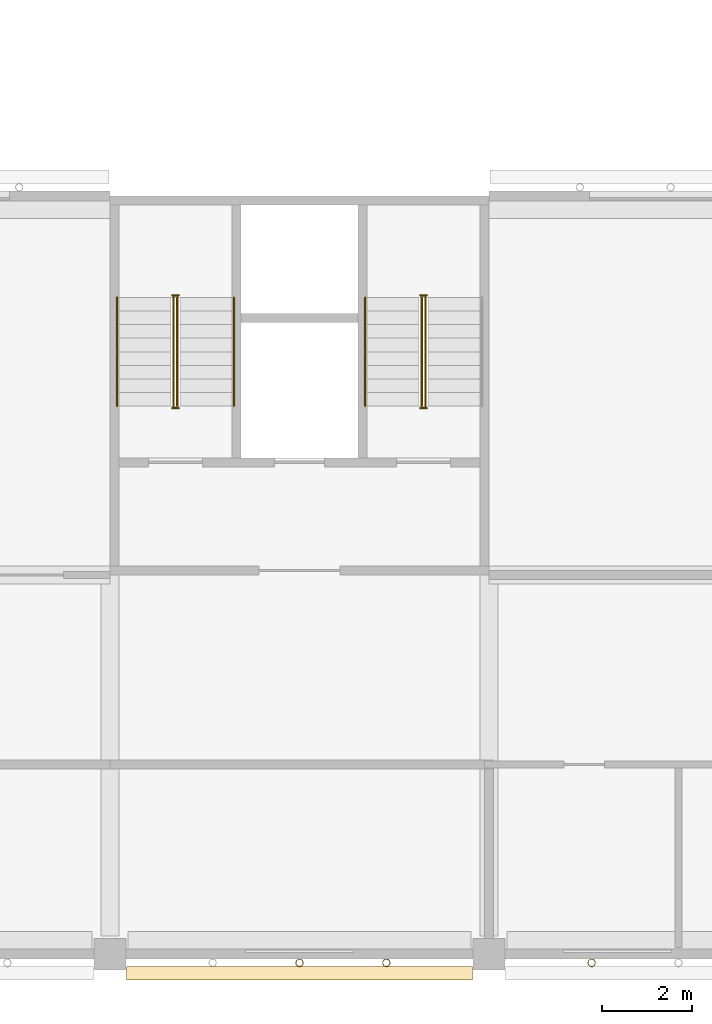
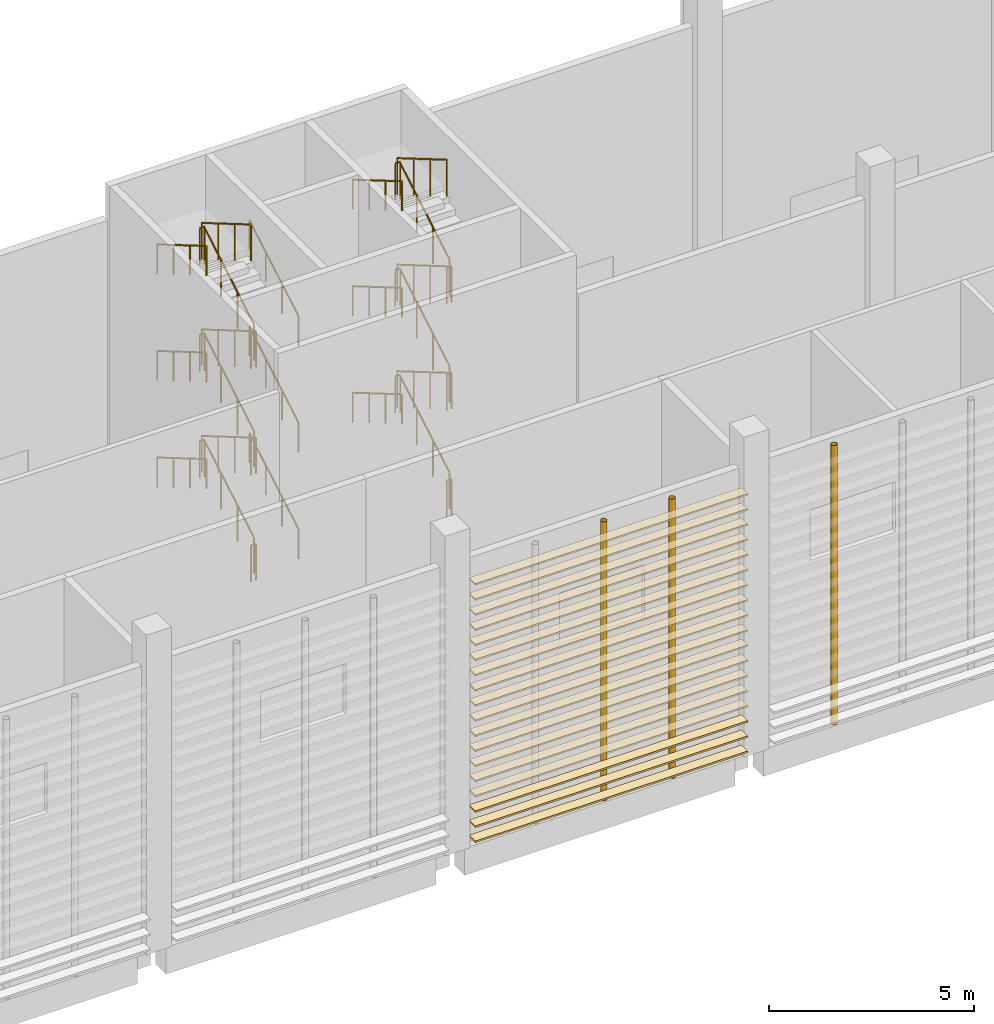
# One storey, part 78 of 114: 33 railings, 18 coverings, 3 shading devices.
"""IFC4 building model written with IfcOpenShell, lengths in metres."""

from ifc_helpers import new_model, si_unit, direction, frame, origin, origin_2d, place, context, subcontext, project, spatial, rectangle, circle, hollow_circle, extrude, material, material_profile, profile_set, type_object, element, save


model = new_model("IFC4")

# Units and contexts
model_context = context("Model", 3, precision=1e-05, world=origin(), true_north=direction((0.0, 1.0)))
body_context = subcontext(model_context, "Body", "Model", "MODEL_VIEW")
ifc_project = project(units=[si_unit("LENGTHUNIT", "METRE"), si_unit("AREAUNIT", "SQUARE_METRE"), si_unit("VOLUMEUNIT", "CUBIC_METRE"), si_unit("PLANEANGLEUNIT", "RADIAN"), si_unit("MASSUNIT", "GRAM", prefix="KILO")], contexts=[model_context])

# Site, building, storey
site_placement = place(None, origin())
site = spatial("IfcSite", under=ifc_project, at=site_placement, CompositionType="ELEMENT")
building_placement = place(site_placement, origin())
building = spatial("IfcBuilding", under=site, at=building_placement, Name="Almond Square Museum", CompositionType="ELEMENT")
storey_placement = place(building_placement, frame((0.0, 0.0, 10.5)))
storey = spatial("IfcBuildingStorey", under=building, at=storey_placement, Name="L02", CompositionType="ELEMENT", Elevation=10.5)

# Shading devices
ifc_material_1 = material(Name="Structural steel S355", Category="steel")
ifc_material_profile_1 = material_profile(ifc_material_1, hollow_circle(Radius=0.084228515625, WallThickness=0.008056640625, at=origin_2d()))
ifc_profile_set_1 = profile_set([ifc_material_profile_1], Name="Structural steel S355")
shading_device_type = type_object("IfcShadingDeviceType", Name="Louvre post CHS 168.3 x 8", PredefinedType="USERDEFINED", material=ifc_profile_set_1)
for number, where, z_axis, x_axis, name in (
    (1, (60.60009765625, -0.194091796875, 0.0), (0.0, 0.0, 1.0), (1.0, 0.0, 0.0), "Louvre screen post"),
    (2, (62.52490234375, -0.194091796875, 0.0), (0.0, 0.0, 1.0), (1.0, 0.0, 0.0), "Louvre screen post"),
    (3, (67.074951171875, -0.194091796875, 0.0), (0.0, 0.0, 1.0), (1.0, 0.0, 0.0), "Louvre screen post"),
):
    element("IfcShadingDevice", number, at=place(storey_placement, frame(where, z_axis=z_axis, x_axis=x_axis)), inside=storey, type_object=shading_device_type, Name=name, ObjectType="POST", PredefinedType="USERDEFINED", context=body_context, shape_type="SweptSolid", body=[
        extrude(hollow_circle(Radius=0.084228515625, WallThickness=0.008056640625, at=origin_2d()), origin(), (0.0, 0.0, 1.0), 8.300048828125),
    ])

# Coverings
ifc_material_2 = material(Name="Cedar timber louvre board", Category="wood")
ifc_material_profile_2 = material_profile(ifc_material_2, rectangle(XDim=0.300048828125, YDim=0.050048828125, at=origin_2d()))
ifc_profile_set_2 = profile_set([ifc_material_profile_2], Name="Cedar timber louvre board")
covering_type = type_object("IfcCoveringType", Name="Louvre screen board 300 x 50", PredefinedType="CLADDING", material=ifc_profile_set_2)
for number, where, z_axis, x_axis, name in (
    (4, (56.77001953125, -0.42431640625, 0.300048828125), (1.0, 0.0, 0.0), (0.0, 1.0, 0.0), "Louvre screen board"),
    (5, (56.77001953125, -0.42431640625, 0.75), (1.0, 0.0, 0.0), (0.0, 1.0, 0.0), "Louvre screen board"),
    (6, (56.77001953125, -0.42431640625, 1.199951171875), (1.0, 0.0, 0.0), (0.0, 1.0, 0.0), "Louvre screen board"),
    (7, (56.77001953125, -0.42431640625, 1.64990234375), (1.0, 0.0, 0.0), (0.0, 1.0, 0.0), "Louvre screen board"),
    (8, (56.77001953125, -0.42431640625, 2.10009765625), (1.0, 0.0, 0.0), (0.0, 1.0, 0.0), "Louvre screen board"),
    (9, (56.77001953125, -0.42431640625, 2.550048828125), (1.0, 0.0, 0.0), (0.0, 1.0, 0.0), "Louvre screen board"),
    (10, (56.77001953125, -0.42431640625, 3.0), (1.0, 0.0, 0.0), (0.0, 1.0, 0.0), "Louvre screen board"),
    (11, (56.77001953125, -0.42431640625, 3.449951171875), (1.0, 0.0, 0.0), (0.0, 1.0, 0.0), "Louvre screen board"),
    (12, (56.77001953125, -0.42431640625, 3.89990234375), (1.0, 0.0, 0.0), (0.0, 1.0, 0.0), "Louvre screen board"),
    (13, (56.77001953125, -0.42431640625, 4.35009765625), (1.0, 0.0, 0.0), (0.0, 1.0, 0.0), "Louvre screen board"),
    (14, (56.77001953125, -0.42431640625, 4.800048828125), (1.0, 0.0, 0.0), (0.0, 1.0, 0.0), "Louvre screen board"),
    (15, (56.77001953125, -0.42431640625, 5.25), (1.0, 0.0, 0.0), (0.0, 1.0, 0.0), "Louvre screen board"),
    (16, (56.77001953125, -0.42431640625, 5.699951171875), (1.0, 0.0, 0.0), (0.0, 1.0, 0.0), "Louvre screen board"),
    (17, (56.77001953125, -0.42431640625, 6.14990234375), (1.0, 0.0, 0.0), (0.0, 1.0, 0.0), "Louvre screen board"),
    (18, (56.77001953125, -0.42431640625, 6.60009765625), (1.0, 0.0, 0.0), (0.0, 1.0, 0.0), "Louvre screen board"),
    (19, (56.77001953125, -0.42431640625, 7.050048828125), (1.0, 0.0, 0.0), (0.0, 1.0, 0.0), "Louvre screen board"),
    (20, (56.77001953125, -0.42431640625, 7.5), (1.0, 0.0, 0.0), (0.0, 1.0, 0.0), "Louvre screen board"),
    (21, (56.77001953125, -0.42431640625, 7.949951171875), (1.0, 0.0, 0.0), (0.0, 1.0, 0.0), "Louvre screen board"),
):
    element("IfcCovering", number, at=place(storey_placement, frame(where, z_axis=z_axis, x_axis=x_axis)), inside=storey, type_object=covering_type, Name=name, PredefinedType="CLADDING", context=body_context, shape_type="SweptSolid", body=[
        extrude(rectangle(XDim=0.300048828125, YDim=0.050048828125, at=origin_2d()), origin(), (0.0, 0.0, 1.0), 7.659912109375),
    ])

# Railings
ifc_material_3 = material(Name="Stainless steel and laminated glass", Category="steel")
railing_type_1 = type_object("IfcRailingType", Name="Stair guard 1100 steel and glass", PredefinedType="GUARDRAIL", material=ifc_material_3)
railing_1_placement = place(storey_placement, frame((57.889892578125, 12.14990234375, 0.176025390625)))
element("IfcRailing", 22, at=railing_1_placement, inside=storey, type_object=railing_type_1, Name="L02 ST-29 stair guard 1", PredefinedType="GUARDRAIL", context=body_context, shape_type="SweptSolid", body=[
    extrude(circle(Radius=0.02392578125, at=origin_2d()), frame((0.0, 0.0, 1.076171875), z_axis=(0.0, 0.862659684245, 0.505784805207), x_axis=(-1.0, 0.0, 0.0)), (0.0, 0.0, 1.0), 2.7822265625),
    extrude(circle(Radius=0.02099609375, at=origin_2d()), origin(), (0.0, 0.0, 1.0), 1.052001953125),
    extrude(circle(Radius=0.02099609375, at=origin_2d()), frame((0.0, 0.800048828125, 0.468994140625)), (0.0, 0.0, 1.0), 1.052001953125),
    extrude(circle(Radius=0.02099609375, at=origin_2d()), frame((0.0, 1.60009765625, 0.938232421875)), (0.0, 0.0, 1.0), 1.052001953125),
    extrude(circle(Radius=0.02099609375, at=origin_2d()), frame((0.0, 2.400146484375, 1.4072265625)), (0.0, 0.0, 1.0), 1.052001953125),
])
railing_2_placement = place(storey_placement, frame((57.919921875, 14.60009765625, 1.583251953125)))
element("IfcRailing", 23, at=railing_2_placement, inside=storey, type_object=railing_type_1, Name="L02 ST-29 stair guard 2", PredefinedType="GUARDRAIL", context=body_context, shape_type="SweptSolid", body=[
    extrude(circle(Radius=0.02392578125, at=origin_2d()), frame((0.0, 0.0, 1.076171875), z_axis=(-1.0, 0.0, 0.0), x_axis=(0.0, -1.0, 0.0)), (0.0, 0.0, 1.0), 0.139892578125),
    extrude(circle(Radius=0.02099609375, at=origin_2d()), origin(), (0.0, 0.0, 1.0), 1.052001953125),
    extrude(circle(Radius=0.02099609375, at=origin_2d()), frame((-0.139892578125, 0.0, 0.0)), (0.0, 0.0, 1.0), 1.052001953125),
])
railing_3_placement = place(storey_placement, frame((57.81005859375, 14.550048828125, 1.75927734375)))
element("IfcRailing", 24, at=railing_3_placement, inside=storey, type_object=railing_type_1, Name="L02 ST-29 stair guard 3", PredefinedType="GUARDRAIL", context=body_context, shape_type="SweptSolid", body=[
    extrude(circle(Radius=0.02392578125, at=origin_2d()), frame((0.0, 0.0, 1.076171875), z_axis=(0.0, -0.862621396848, 0.505850102007), x_axis=(1.0, 0.0, 0.0)), (0.0, 0.0, 1.0), 2.782470703125),
    extrude(circle(Radius=0.02099609375, at=origin_2d()), origin(), (0.0, 0.0, 1.0), 1.052001953125),
    extrude(circle(Radius=0.02099609375, at=origin_2d()), frame((0.0, -0.800048828125, 0.46923828125)), (0.0, 0.0, 1.0), 1.052001953125),
    extrude(circle(Radius=0.02099609375, at=origin_2d()), frame((0.0, -1.60009765625, 0.938232421875)), (0.0, 0.0, 1.0), 1.052001953125),
    extrude(circle(Radius=0.02099609375, at=origin_2d()), frame((0.0, -2.400146484375, 1.407470703125)), (0.0, 0.0, 1.0), 1.052001953125),
])
railing_4_placement = place(storey_placement, frame((57.919921875, 12.10009765625, 3.166748046875)))
element("IfcRailing", 25, at=railing_4_placement, inside=storey, type_object=railing_type_1, Name="L02 ST-29 stair guard 4", PredefinedType="GUARDRAIL", context=body_context, shape_type="SweptSolid", body=[
    extrude(circle(Radius=0.02392578125, at=origin_2d()), frame((0.0, 0.0, 1.076171875), z_axis=(-1.0, 0.0, 0.0), x_axis=(0.0, -1.0, 0.0)), (0.0, 0.0, 1.0), 0.139892578125),
    extrude(circle(Radius=0.02099609375, at=origin_2d()), origin(), (0.0, 0.0, 1.0), 1.052001953125),
    extrude(circle(Radius=0.02099609375, at=origin_2d()), frame((-0.139892578125, 0.0, 0.0)), (0.0, 0.0, 1.0), 1.052001953125),
])
railing_5_placement = place(storey_placement, frame((57.889892578125, 12.14990234375, 3.342529296875)))
element("IfcRailing", 26, at=railing_5_placement, inside=storey, type_object=railing_type_1, Name="L02 ST-29 stair guard 5", PredefinedType="GUARDRAIL", context=body_context, shape_type="SweptSolid", body=[
    extrude(circle(Radius=0.02392578125, at=origin_2d()), frame((0.0, 0.0, 1.076171875), z_axis=(0.0, 0.862621396848, 0.505850102007), x_axis=(-1.0, 0.0, 0.0)), (0.0, 0.0, 1.0), 2.782470703125),
    extrude(circle(Radius=0.02099609375, at=origin_2d()), origin(), (0.0, 0.0, 1.0), 1.052001953125),
    extrude(circle(Radius=0.02099609375, at=origin_2d()), frame((0.0, 0.800048828125, 0.46923828125)), (0.0, 0.0, 1.0), 1.052001953125),
    extrude(circle(Radius=0.02099609375, at=origin_2d()), frame((0.0, 1.60009765625, 0.938232421875)), (0.0, 0.0, 1.0), 1.052001953125),
    extrude(circle(Radius=0.02099609375, at=origin_2d()), frame((0.0, 2.400146484375, 1.407470703125)), (0.0, 0.0, 1.0), 1.052001953125),
])
railing_6_placement = place(storey_placement, frame((57.919921875, 14.60009765625, 4.75)))
element("IfcRailing", 27, at=railing_6_placement, inside=storey, type_object=railing_type_1, Name="L02 ST-29 stair guard 6", PredefinedType="GUARDRAIL", context=body_context, shape_type="SweptSolid", body=[
    extrude(circle(Radius=0.02392578125, at=origin_2d()), frame((0.0, 0.0, 1.076171875), z_axis=(-1.0, 0.0, 0.0), x_axis=(0.0, -1.0, 0.0)), (0.0, 0.0, 1.0), 0.139892578125),
    extrude(circle(Radius=0.02099609375, at=origin_2d()), origin(), (0.0, 0.0, 1.0), 1.052001953125),
    extrude(circle(Radius=0.02099609375, at=origin_2d()), frame((-0.139892578125, 0.0, 0.0)), (0.0, 0.0, 1.0), 1.052001953125),
])
railing_7_placement = place(storey_placement, frame((57.81005859375, 14.550048828125, 4.926025390625)))
element("IfcRailing", 28, at=railing_7_placement, inside=storey, type_object=railing_type_1, Name="L02 ST-29 stair guard 7", PredefinedType="GUARDRAIL", context=body_context, shape_type="SweptSolid", body=[
    extrude(circle(Radius=0.02392578125, at=origin_2d()), frame((0.0, 0.0, 1.076171875), z_axis=(0.0, -0.862659684245, 0.505784805207), x_axis=(1.0, 0.0, 0.0)), (0.0, 0.0, 1.0), 2.7822265625),
    extrude(circle(Radius=0.02099609375, at=origin_2d()), origin(), (0.0, 0.0, 1.0), 1.052001953125),
    extrude(circle(Radius=0.02099609375, at=origin_2d()), frame((0.0, -0.800048828125, 0.468994140625)), (0.0, 0.0, 1.0), 1.052001953125),
    extrude(circle(Radius=0.02099609375, at=origin_2d()), frame((0.0, -1.60009765625, 0.938232421875)), (0.0, 0.0, 1.0), 1.052001953125),
    extrude(circle(Radius=0.02099609375, at=origin_2d()), frame((0.0, -2.400146484375, 1.4072265625)), (0.0, 0.0, 1.0), 1.052001953125),
])
railing_8_placement = place(storey_placement, frame((57.919921875, 12.10009765625, 6.333251953125)))
element("IfcRailing", 29, at=railing_8_placement, inside=storey, type_object=railing_type_1, Name="L02 ST-29 stair guard 8", PredefinedType="GUARDRAIL", context=body_context, shape_type="SweptSolid", body=[
    extrude(circle(Radius=0.02392578125, at=origin_2d()), frame((0.0, 0.0, 1.076171875), z_axis=(-1.0, 0.0, 0.0), x_axis=(0.0, -1.0, 0.0)), (0.0, 0.0, 1.0), 0.139892578125),
    extrude(circle(Radius=0.02099609375, at=origin_2d()), origin(), (0.0, 0.0, 1.0), 1.052001953125),
    extrude(circle(Radius=0.02099609375, at=origin_2d()), frame((-0.139892578125, 0.0, 0.0)), (0.0, 0.0, 1.0), 1.052001953125),
])
railing_9_placement = place(storey_placement, frame((57.889892578125, 12.14990234375, 6.50927734375)))
element("IfcRailing", 30, at=railing_9_placement, inside=storey, type_object=railing_type_1, Name="L02 ST-29 stair guard 9", PredefinedType="GUARDRAIL", context=body_context, shape_type="SweptSolid", body=[
    extrude(circle(Radius=0.02392578125, at=origin_2d()), frame((0.0, 0.0, 1.076171875), z_axis=(0.0, 0.862621396848, 0.505850102007), x_axis=(-1.0, 0.0, 0.0)), (0.0, 0.0, 1.0), 2.782470703125),
    extrude(circle(Radius=0.02099609375, at=origin_2d()), origin(), (0.0, 0.0, 1.0), 1.052001953125),
    extrude(circle(Radius=0.02099609375, at=origin_2d()), frame((0.0, 0.800048828125, 0.46923828125)), (0.0, 0.0, 1.0), 1.052001953125),
    extrude(circle(Radius=0.02099609375, at=origin_2d()), frame((0.0, 1.60009765625, 0.938232421875)), (0.0, 0.0, 1.0), 1.052001953125),
    extrude(circle(Radius=0.02099609375, at=origin_2d()), frame((0.0, 2.400146484375, 1.407470703125)), (0.0, 0.0, 1.0), 1.052001953125),
])
railing_10_placement = place(storey_placement, frame((57.919921875, 14.60009765625, 7.916748046875)))
element("IfcRailing", 31, at=railing_10_placement, inside=storey, type_object=railing_type_1, Name="L02 ST-29 stair guard 10", PredefinedType="GUARDRAIL", context=body_context, shape_type="SweptSolid", body=[
    extrude(circle(Radius=0.02392578125, at=origin_2d()), frame((0.0, 0.0, 1.076171875), z_axis=(-1.0, 0.0, 0.0), x_axis=(0.0, -1.0, 0.0)), (0.0, 0.0, 1.0), 0.139892578125),
    extrude(circle(Radius=0.02099609375, at=origin_2d()), origin(), (0.0, 0.0, 1.0), 1.052001953125),
    extrude(circle(Radius=0.02099609375, at=origin_2d()), frame((-0.139892578125, 0.0, 0.0)), (0.0, 0.0, 1.0), 1.052001953125),
])
railing_11_placement = place(storey_placement, frame((57.81005859375, 14.550048828125, 8.092529296875)))
element("IfcRailing", 32, at=railing_11_placement, inside=storey, type_object=railing_type_1, Name="L02 ST-29 stair guard 11", PredefinedType="GUARDRAIL", context=body_context, shape_type="SweptSolid", body=[
    extrude(circle(Radius=0.02392578125, at=origin_2d()), frame((0.0, 0.0, 1.076171875), z_axis=(0.0, -0.862621396848, 0.505850102007), x_axis=(1.0, 0.0, 0.0)), (0.0, 0.0, 1.0), 2.782470703125),
    extrude(circle(Radius=0.02099609375, at=origin_2d()), origin(), (0.0, 0.0, 1.0), 1.052001953125),
    extrude(circle(Radius=0.02099609375, at=origin_2d()), frame((0.0, -0.800048828125, 0.46923828125)), (0.0, 0.0, 1.0), 1.052001953125),
    extrude(circle(Radius=0.02099609375, at=origin_2d()), frame((0.0, -1.60009765625, 0.938232421875)), (0.0, 0.0, 1.0), 1.052001953125),
    extrude(circle(Radius=0.02099609375, at=origin_2d()), frame((0.0, -2.400146484375, 1.407470703125)), (0.0, 0.0, 1.0), 1.052001953125),
])
railing_12_placement = place(storey_placement, frame((57.919921875, 12.10009765625, 0.0)))
element("IfcRailing", 33, at=railing_12_placement, inside=storey, type_object=railing_type_1, Name="L02 ST-29 stair guard 12", PredefinedType="GUARDRAIL", context=body_context, shape_type="SweptSolid", body=[
    extrude(circle(Radius=0.02392578125, at=origin_2d()), frame((0.0, 0.0, 1.076171875), z_axis=(-1.0, 0.0, 0.0), x_axis=(0.0, -1.0, 0.0)), (0.0, 0.0, 1.0), 0.139892578125),
    extrude(circle(Radius=0.02099609375, at=origin_2d()), origin(), (0.0, 0.0, 1.0), 1.052001953125),
    extrude(circle(Radius=0.02099609375, at=origin_2d()), frame((-0.139892578125, 0.0, 0.0)), (0.0, 0.0, 1.0), 1.052001953125),
])
railing_13_placement = place(storey_placement, frame((63.389892578125, 12.14990234375, 0.176025390625)))
element("IfcRailing", 34, at=railing_13_placement, inside=storey, type_object=railing_type_1, Name="L02 ST-30 stair guard 1", PredefinedType="GUARDRAIL", context=body_context, shape_type="SweptSolid", body=[
    extrude(circle(Radius=0.02392578125, at=origin_2d()), frame((0.0, 0.0, 1.076171875), z_axis=(0.0, 0.862659684245, 0.505784805207), x_axis=(-1.0, 0.0, 0.0)), (0.0, 0.0, 1.0), 2.7822265625),
    extrude(circle(Radius=0.02099609375, at=origin_2d()), origin(), (0.0, 0.0, 1.0), 1.052001953125),
    extrude(circle(Radius=0.02099609375, at=origin_2d()), frame((0.0, 0.800048828125, 0.468994140625)), (0.0, 0.0, 1.0), 1.052001953125),
    extrude(circle(Radius=0.02099609375, at=origin_2d()), frame((0.0, 1.60009765625, 0.938232421875)), (0.0, 0.0, 1.0), 1.052001953125),
    extrude(circle(Radius=0.02099609375, at=origin_2d()), frame((0.0, 2.400146484375, 1.4072265625)), (0.0, 0.0, 1.0), 1.052001953125),
])
railing_14_placement = place(storey_placement, frame((63.419921875, 14.60009765625, 1.583251953125)))
element("IfcRailing", 35, at=railing_14_placement, inside=storey, type_object=railing_type_1, Name="L02 ST-30 stair guard 2", PredefinedType="GUARDRAIL", context=body_context, shape_type="SweptSolid", body=[
    extrude(circle(Radius=0.02392578125, at=origin_2d()), frame((0.0, 0.0, 1.076171875), z_axis=(-1.0, 0.0, 0.0), x_axis=(0.0, -1.0, 0.0)), (0.0, 0.0, 1.0), 0.139892578125),
    extrude(circle(Radius=0.02099609375, at=origin_2d()), origin(), (0.0, 0.0, 1.0), 1.052001953125),
    extrude(circle(Radius=0.02099609375, at=origin_2d()), frame((-0.139892578125, 0.0, 0.0)), (0.0, 0.0, 1.0), 1.052001953125),
])
railing_15_placement = place(storey_placement, frame((63.31005859375, 14.550048828125, 1.75927734375)))
element("IfcRailing", 36, at=railing_15_placement, inside=storey, type_object=railing_type_1, Name="L02 ST-30 stair guard 3", PredefinedType="GUARDRAIL", context=body_context, shape_type="SweptSolid", body=[
    extrude(circle(Radius=0.02392578125, at=origin_2d()), frame((0.0, 0.0, 1.076171875), z_axis=(0.0, -0.862621396848, 0.505850102007), x_axis=(1.0, 0.0, 0.0)), (0.0, 0.0, 1.0), 2.782470703125),
    extrude(circle(Radius=0.02099609375, at=origin_2d()), origin(), (0.0, 0.0, 1.0), 1.052001953125),
    extrude(circle(Radius=0.02099609375, at=origin_2d()), frame((0.0, -0.800048828125, 0.46923828125)), (0.0, 0.0, 1.0), 1.052001953125),
    extrude(circle(Radius=0.02099609375, at=origin_2d()), frame((0.0, -1.60009765625, 0.938232421875)), (0.0, 0.0, 1.0), 1.052001953125),
    extrude(circle(Radius=0.02099609375, at=origin_2d()), frame((0.0, -2.400146484375, 1.407470703125)), (0.0, 0.0, 1.0), 1.052001953125),
])
railing_16_placement = place(storey_placement, frame((63.419921875, 12.10009765625, 3.166748046875)))
element("IfcRailing", 37, at=railing_16_placement, inside=storey, type_object=railing_type_1, Name="L02 ST-30 stair guard 4", PredefinedType="GUARDRAIL", context=body_context, shape_type="SweptSolid", body=[
    extrude(circle(Radius=0.02392578125, at=origin_2d()), frame((0.0, 0.0, 1.076171875), z_axis=(-1.0, 0.0, 0.0), x_axis=(0.0, -1.0, 0.0)), (0.0, 0.0, 1.0), 0.139892578125),
    extrude(circle(Radius=0.02099609375, at=origin_2d()), origin(), (0.0, 0.0, 1.0), 1.052001953125),
    extrude(circle(Radius=0.02099609375, at=origin_2d()), frame((-0.139892578125, 0.0, 0.0)), (0.0, 0.0, 1.0), 1.052001953125),
])
railing_17_placement = place(storey_placement, frame((63.389892578125, 12.14990234375, 3.342529296875)))
element("IfcRailing", 38, at=railing_17_placement, inside=storey, type_object=railing_type_1, Name="L02 ST-30 stair guard 5", PredefinedType="GUARDRAIL", context=body_context, shape_type="SweptSolid", body=[
    extrude(circle(Radius=0.02392578125, at=origin_2d()), frame((0.0, 0.0, 1.076171875), z_axis=(0.0, 0.862621396848, 0.505850102007), x_axis=(-1.0, 0.0, 0.0)), (0.0, 0.0, 1.0), 2.782470703125),
    extrude(circle(Radius=0.02099609375, at=origin_2d()), origin(), (0.0, 0.0, 1.0), 1.052001953125),
    extrude(circle(Radius=0.02099609375, at=origin_2d()), frame((0.0, 0.800048828125, 0.46923828125)), (0.0, 0.0, 1.0), 1.052001953125),
    extrude(circle(Radius=0.02099609375, at=origin_2d()), frame((0.0, 1.60009765625, 0.938232421875)), (0.0, 0.0, 1.0), 1.052001953125),
    extrude(circle(Radius=0.02099609375, at=origin_2d()), frame((0.0, 2.400146484375, 1.407470703125)), (0.0, 0.0, 1.0), 1.052001953125),
])
railing_18_placement = place(storey_placement, frame((63.419921875, 14.60009765625, 4.75)))
element("IfcRailing", 39, at=railing_18_placement, inside=storey, type_object=railing_type_1, Name="L02 ST-30 stair guard 6", PredefinedType="GUARDRAIL", context=body_context, shape_type="SweptSolid", body=[
    extrude(circle(Radius=0.02392578125, at=origin_2d()), frame((0.0, 0.0, 1.076171875), z_axis=(-1.0, 0.0, 0.0), x_axis=(0.0, -1.0, 0.0)), (0.0, 0.0, 1.0), 0.139892578125),
    extrude(circle(Radius=0.02099609375, at=origin_2d()), origin(), (0.0, 0.0, 1.0), 1.052001953125),
    extrude(circle(Radius=0.02099609375, at=origin_2d()), frame((-0.139892578125, 0.0, 0.0)), (0.0, 0.0, 1.0), 1.052001953125),
])
railing_19_placement = place(storey_placement, frame((63.31005859375, 14.550048828125, 4.926025390625)))
element("IfcRailing", 40, at=railing_19_placement, inside=storey, type_object=railing_type_1, Name="L02 ST-30 stair guard 7", PredefinedType="GUARDRAIL", context=body_context, shape_type="SweptSolid", body=[
    extrude(circle(Radius=0.02392578125, at=origin_2d()), frame((0.0, 0.0, 1.076171875), z_axis=(0.0, -0.862659684245, 0.505784805207), x_axis=(1.0, 0.0, 0.0)), (0.0, 0.0, 1.0), 2.7822265625),
    extrude(circle(Radius=0.02099609375, at=origin_2d()), origin(), (0.0, 0.0, 1.0), 1.052001953125),
    extrude(circle(Radius=0.02099609375, at=origin_2d()), frame((0.0, -0.800048828125, 0.468994140625)), (0.0, 0.0, 1.0), 1.052001953125),
    extrude(circle(Radius=0.02099609375, at=origin_2d()), frame((0.0, -1.60009765625, 0.938232421875)), (0.0, 0.0, 1.0), 1.052001953125),
    extrude(circle(Radius=0.02099609375, at=origin_2d()), frame((0.0, -2.400146484375, 1.4072265625)), (0.0, 0.0, 1.0), 1.052001953125),
])
railing_20_placement = place(storey_placement, frame((63.419921875, 12.10009765625, 6.333251953125)))
element("IfcRailing", 41, at=railing_20_placement, inside=storey, type_object=railing_type_1, Name="L02 ST-30 stair guard 8", PredefinedType="GUARDRAIL", context=body_context, shape_type="SweptSolid", body=[
    extrude(circle(Radius=0.02392578125, at=origin_2d()), frame((0.0, 0.0, 1.076171875), z_axis=(-1.0, 0.0, 0.0), x_axis=(0.0, -1.0, 0.0)), (0.0, 0.0, 1.0), 0.139892578125),
    extrude(circle(Radius=0.02099609375, at=origin_2d()), origin(), (0.0, 0.0, 1.0), 1.052001953125),
    extrude(circle(Radius=0.02099609375, at=origin_2d()), frame((-0.139892578125, 0.0, 0.0)), (0.0, 0.0, 1.0), 1.052001953125),
])
railing_21_placement = place(storey_placement, frame((63.389892578125, 12.14990234375, 6.50927734375)))
element("IfcRailing", 42, at=railing_21_placement, inside=storey, type_object=railing_type_1, Name="L02 ST-30 stair guard 9", PredefinedType="GUARDRAIL", context=body_context, shape_type="SweptSolid", body=[
    extrude(circle(Radius=0.02392578125, at=origin_2d()), frame((0.0, 0.0, 1.076171875), z_axis=(0.0, 0.862621396848, 0.505850102007), x_axis=(-1.0, 0.0, 0.0)), (0.0, 0.0, 1.0), 2.782470703125),
    extrude(circle(Radius=0.02099609375, at=origin_2d()), origin(), (0.0, 0.0, 1.0), 1.052001953125),
    extrude(circle(Radius=0.02099609375, at=origin_2d()), frame((0.0, 0.800048828125, 0.46923828125)), (0.0, 0.0, 1.0), 1.052001953125),
    extrude(circle(Radius=0.02099609375, at=origin_2d()), frame((0.0, 1.60009765625, 0.938232421875)), (0.0, 0.0, 1.0), 1.052001953125),
    extrude(circle(Radius=0.02099609375, at=origin_2d()), frame((0.0, 2.400146484375, 1.407470703125)), (0.0, 0.0, 1.0), 1.052001953125),
])
railing_22_placement = place(storey_placement, frame((63.419921875, 14.60009765625, 7.916748046875)))
element("IfcRailing", 43, at=railing_22_placement, inside=storey, type_object=railing_type_1, Name="L02 ST-30 stair guard 10", PredefinedType="GUARDRAIL", context=body_context, shape_type="SweptSolid", body=[
    extrude(circle(Radius=0.02392578125, at=origin_2d()), frame((0.0, 0.0, 1.076171875), z_axis=(-1.0, 0.0, 0.0), x_axis=(0.0, -1.0, 0.0)), (0.0, 0.0, 1.0), 0.139892578125),
    extrude(circle(Radius=0.02099609375, at=origin_2d()), origin(), (0.0, 0.0, 1.0), 1.052001953125),
    extrude(circle(Radius=0.02099609375, at=origin_2d()), frame((-0.139892578125, 0.0, 0.0)), (0.0, 0.0, 1.0), 1.052001953125),
])
railing_23_placement = place(storey_placement, frame((63.31005859375, 14.550048828125, 8.092529296875)))
element("IfcRailing", 44, at=railing_23_placement, inside=storey, type_object=railing_type_1, Name="L02 ST-30 stair guard 11", PredefinedType="GUARDRAIL", context=body_context, shape_type="SweptSolid", body=[
    extrude(circle(Radius=0.02392578125, at=origin_2d()), frame((0.0, 0.0, 1.076171875), z_axis=(0.0, -0.862621396848, 0.505850102007), x_axis=(1.0, 0.0, 0.0)), (0.0, 0.0, 1.0), 2.782470703125),
    extrude(circle(Radius=0.02099609375, at=origin_2d()), origin(), (0.0, 0.0, 1.0), 1.052001953125),
    extrude(circle(Radius=0.02099609375, at=origin_2d()), frame((0.0, -0.800048828125, 0.46923828125)), (0.0, 0.0, 1.0), 1.052001953125),
    extrude(circle(Radius=0.02099609375, at=origin_2d()), frame((0.0, -1.60009765625, 0.938232421875)), (0.0, 0.0, 1.0), 1.052001953125),
    extrude(circle(Radius=0.02099609375, at=origin_2d()), frame((0.0, -2.400146484375, 1.407470703125)), (0.0, 0.0, 1.0), 1.052001953125),
])
railing_24_placement = place(storey_placement, frame((63.419921875, 12.10009765625, 0.0)))
element("IfcRailing", 45, at=railing_24_placement, inside=storey, type_object=railing_type_1, Name="L02 ST-30 stair guard 12", PredefinedType="GUARDRAIL", context=body_context, shape_type="SweptSolid", body=[
    extrude(circle(Radius=0.02392578125, at=origin_2d()), frame((0.0, 0.0, 1.076171875), z_axis=(-1.0, 0.0, 0.0), x_axis=(0.0, -1.0, 0.0)), (0.0, 0.0, 1.0), 0.139892578125),
    extrude(circle(Radius=0.02099609375, at=origin_2d()), origin(), (0.0, 0.0, 1.0), 1.052001953125),
    extrude(circle(Radius=0.02099609375, at=origin_2d()), frame((-0.139892578125, 0.0, 0.0)), (0.0, 0.0, 1.0), 1.052001953125),
])
ifc_material_4 = material(Name="Stainless steel", Category="steel")
railing_type_2 = type_object("IfcRailingType", Name="Stair handrail 900 steel", PredefinedType="HANDRAIL", material=ifc_material_4)
railing_25_placement = place(storey_placement, frame((59.14501953125, 12.14990234375, 0.176025390625)))
element("IfcRailing", 46, at=railing_25_placement, inside=storey, type_object=railing_type_2, Name="L02 ST-29 stair handrail 1", PredefinedType="HANDRAIL", context=body_context, shape_type="SweptSolid", body=[
    extrude(circle(Radius=0.02392578125, at=origin_2d()), frame((0.0, 0.0, 0.8759765625), z_axis=(0.0, 0.862659684245, 0.505784805207), x_axis=(-1.0, 0.0, 0.0)), (0.0, 0.0, 1.0), 2.7822265625),
    extrude(circle(Radius=0.02099609375, at=origin_2d()), origin(), (0.0, 0.0, 1.0), 0.851806640625),
    extrude(circle(Radius=0.02099609375, at=origin_2d()), frame((0.0, 0.800048828125, 0.468994140625)), (0.0, 0.0, 1.0), 0.851806640625),
    extrude(circle(Radius=0.02099609375, at=origin_2d()), frame((0.0, 1.60009765625, 0.938232421875)), (0.0, 0.0, 1.0), 0.851806640625),
    extrude(circle(Radius=0.02099609375, at=origin_2d()), frame((0.0, 2.400146484375, 1.4072265625)), (0.0, 0.0, 1.0), 0.851806640625),
])
railing_26_placement = place(storey_placement, frame((56.554931640625, 14.550048828125, 1.75927734375)))
element("IfcRailing", 47, at=railing_26_placement, inside=storey, type_object=railing_type_2, Name="L02 ST-29 stair handrail 2", PredefinedType="HANDRAIL", context=body_context, shape_type="SweptSolid", body=[
    extrude(circle(Radius=0.02392578125, at=origin_2d()), frame((0.0, 0.0, 0.8759765625), z_axis=(0.0, -0.862621396848, 0.505850102007), x_axis=(1.0, 0.0, 0.0)), (0.0, 0.0, 1.0), 2.782470703125),
    extrude(circle(Radius=0.02099609375, at=origin_2d()), origin(), (0.0, 0.0, 1.0), 0.851806640625),
    extrude(circle(Radius=0.02099609375, at=origin_2d()), frame((0.0, -0.800048828125, 0.46923828125)), (0.0, 0.0, 1.0), 0.851806640625),
    extrude(circle(Radius=0.02099609375, at=origin_2d()), frame((0.0, -1.60009765625, 0.938232421875)), (0.0, 0.0, 1.0), 0.851806640625),
    extrude(circle(Radius=0.02099609375, at=origin_2d()), frame((0.0, -2.400146484375, 1.407470703125)), (0.0, 0.0, 1.0), 0.851806640625),
])
railing_27_placement = place(storey_placement, frame((59.14501953125, 12.14990234375, 3.342529296875)))
element("IfcRailing", 48, at=railing_27_placement, inside=storey, type_object=railing_type_2, Name="L02 ST-29 stair handrail 3", PredefinedType="HANDRAIL", context=body_context, shape_type="SweptSolid", body=[
    extrude(circle(Radius=0.02392578125, at=origin_2d()), frame((0.0, 0.0, 0.8759765625), z_axis=(0.0, 0.862621396848, 0.505850102007), x_axis=(-1.0, 0.0, 0.0)), (0.0, 0.0, 1.0), 2.782470703125),
    extrude(circle(Radius=0.02099609375, at=origin_2d()), origin(), (0.0, 0.0, 1.0), 0.851806640625),
    extrude(circle(Radius=0.02099609375, at=origin_2d()), frame((0.0, 0.800048828125, 0.46923828125)), (0.0, 0.0, 1.0), 0.851806640625),
    extrude(circle(Radius=0.02099609375, at=origin_2d()), frame((0.0, 1.60009765625, 0.938232421875)), (0.0, 0.0, 1.0), 0.851806640625),
    extrude(circle(Radius=0.02099609375, at=origin_2d()), frame((0.0, 2.400146484375, 1.407470703125)), (0.0, 0.0, 1.0), 0.851806640625),
])
railing_28_placement = place(storey_placement, frame((56.554931640625, 14.550048828125, 4.926025390625)))
element("IfcRailing", 49, at=railing_28_placement, inside=storey, type_object=railing_type_2, Name="L02 ST-29 stair handrail 4", PredefinedType="HANDRAIL", context=body_context, shape_type="SweptSolid", body=[
    extrude(circle(Radius=0.02392578125, at=origin_2d()), frame((0.0, 0.0, 0.8759765625), z_axis=(0.0, -0.862659684245, 0.505784805207), x_axis=(1.0, 0.0, 0.0)), (0.0, 0.0, 1.0), 2.7822265625),
    extrude(circle(Radius=0.02099609375, at=origin_2d()), origin(), (0.0, 0.0, 1.0), 0.851806640625),
    extrude(circle(Radius=0.02099609375, at=origin_2d()), frame((0.0, -0.800048828125, 0.468994140625)), (0.0, 0.0, 1.0), 0.851806640625),
    extrude(circle(Radius=0.02099609375, at=origin_2d()), frame((0.0, -1.60009765625, 0.938232421875)), (0.0, 0.0, 1.0), 0.851806640625),
    extrude(circle(Radius=0.02099609375, at=origin_2d()), frame((0.0, -2.400146484375, 1.4072265625)), (0.0, 0.0, 1.0), 0.851806640625),
])
railing_29_placement = place(storey_placement, frame((59.14501953125, 12.14990234375, 6.50927734375)))
element("IfcRailing", 50, at=railing_29_placement, inside=storey, type_object=railing_type_2, Name="L02 ST-29 stair handrail 5", PredefinedType="HANDRAIL", context=body_context, shape_type="SweptSolid", body=[
    extrude(circle(Radius=0.02392578125, at=origin_2d()), frame((0.0, 0.0, 0.8759765625), z_axis=(0.0, 0.862621396848, 0.505850102007), x_axis=(-1.0, 0.0, 0.0)), (0.0, 0.0, 1.0), 2.782470703125),
    extrude(circle(Radius=0.02099609375, at=origin_2d()), origin(), (0.0, 0.0, 1.0), 0.851806640625),
    extrude(circle(Radius=0.02099609375, at=origin_2d()), frame((0.0, 0.800048828125, 0.46923828125)), (0.0, 0.0, 1.0), 0.851806640625),
    extrude(circle(Radius=0.02099609375, at=origin_2d()), frame((0.0, 1.60009765625, 0.938232421875)), (0.0, 0.0, 1.0), 0.851806640625),
    extrude(circle(Radius=0.02099609375, at=origin_2d()), frame((0.0, 2.400146484375, 1.407470703125)), (0.0, 0.0, 1.0), 0.851806640625),
])
for number, where, name in (
    (51, (56.554931640625, 14.550048828125, 8.092529296875), "L02 ST-29 stair handrail 6"),
    (52, (62.054931640625, 14.550048828125, 1.75927734375), "L02 ST-30 stair handrail 2"),
):
    element("IfcRailing", number, at=place(storey_placement, frame(where)), inside=storey, type_object=railing_type_2, Name=name, PredefinedType="HANDRAIL", context=body_context, shape_type="SweptSolid", body=[
        extrude(circle(Radius=0.02392578125, at=origin_2d()), frame((0.0, 0.0, 0.8759765625), z_axis=(0.0, -0.862621396848, 0.505850102007), x_axis=(1.0, 0.0, 0.0)), (0.0, 0.0, 1.0), 2.782470703125),
        extrude(circle(Radius=0.02099609375, at=origin_2d()), origin(), (0.0, 0.0, 1.0), 0.851806640625),
        extrude(circle(Radius=0.02099609375, at=origin_2d()), frame((0.0, -0.800048828125, 0.46923828125)), (0.0, 0.0, 1.0), 0.851806640625),
        extrude(circle(Radius=0.02099609375, at=origin_2d()), frame((0.0, -1.60009765625, 0.938232421875)), (0.0, 0.0, 1.0), 0.851806640625),
        extrude(circle(Radius=0.02099609375, at=origin_2d()), frame((0.0, -2.400146484375, 1.407470703125)), (0.0, 0.0, 1.0), 0.851806640625),
    ])
railing_30_placement = place(storey_placement, frame((62.054931640625, 14.550048828125, 4.926025390625)))
element("IfcRailing", 53, at=railing_30_placement, inside=storey, type_object=railing_type_2, Name="L02 ST-30 stair handrail 4", PredefinedType="HANDRAIL", context=body_context, shape_type="SweptSolid", body=[
    extrude(circle(Radius=0.02392578125, at=origin_2d()), frame((0.0, 0.0, 0.8759765625), z_axis=(0.0, -0.862659684245, 0.505784805207), x_axis=(1.0, 0.0, 0.0)), (0.0, 0.0, 1.0), 2.7822265625),
    extrude(circle(Radius=0.02099609375, at=origin_2d()), origin(), (0.0, 0.0, 1.0), 0.851806640625),
    extrude(circle(Radius=0.02099609375, at=origin_2d()), frame((0.0, -0.800048828125, 0.468994140625)), (0.0, 0.0, 1.0), 0.851806640625),
    extrude(circle(Radius=0.02099609375, at=origin_2d()), frame((0.0, -1.60009765625, 0.938232421875)), (0.0, 0.0, 1.0), 0.851806640625),
    extrude(circle(Radius=0.02099609375, at=origin_2d()), frame((0.0, -2.400146484375, 1.4072265625)), (0.0, 0.0, 1.0), 0.851806640625),
])
railing_31_placement = place(storey_placement, frame((62.054931640625, 14.550048828125, 8.092529296875)))
element("IfcRailing", 54, at=railing_31_placement, inside=storey, type_object=railing_type_2, Name="L02 ST-30 stair handrail 6", PredefinedType="HANDRAIL", context=body_context, shape_type="SweptSolid", body=[
    extrude(circle(Radius=0.02392578125, at=origin_2d()), frame((0.0, 0.0, 0.8759765625), z_axis=(0.0, -0.862621396848, 0.505850102007), x_axis=(1.0, 0.0, 0.0)), (0.0, 0.0, 1.0), 2.782470703125),
    extrude(circle(Radius=0.02099609375, at=origin_2d()), origin(), (0.0, 0.0, 1.0), 0.851806640625),
    extrude(circle(Radius=0.02099609375, at=origin_2d()), frame((0.0, -0.800048828125, 0.46923828125)), (0.0, 0.0, 1.0), 0.851806640625),
    extrude(circle(Radius=0.02099609375, at=origin_2d()), frame((0.0, -1.60009765625, 0.938232421875)), (0.0, 0.0, 1.0), 0.851806640625),
    extrude(circle(Radius=0.02099609375, at=origin_2d()), frame((0.0, -2.400146484375, 1.407470703125)), (0.0, 0.0, 1.0), 0.851806640625),
])

save(model, "model.ifc")
